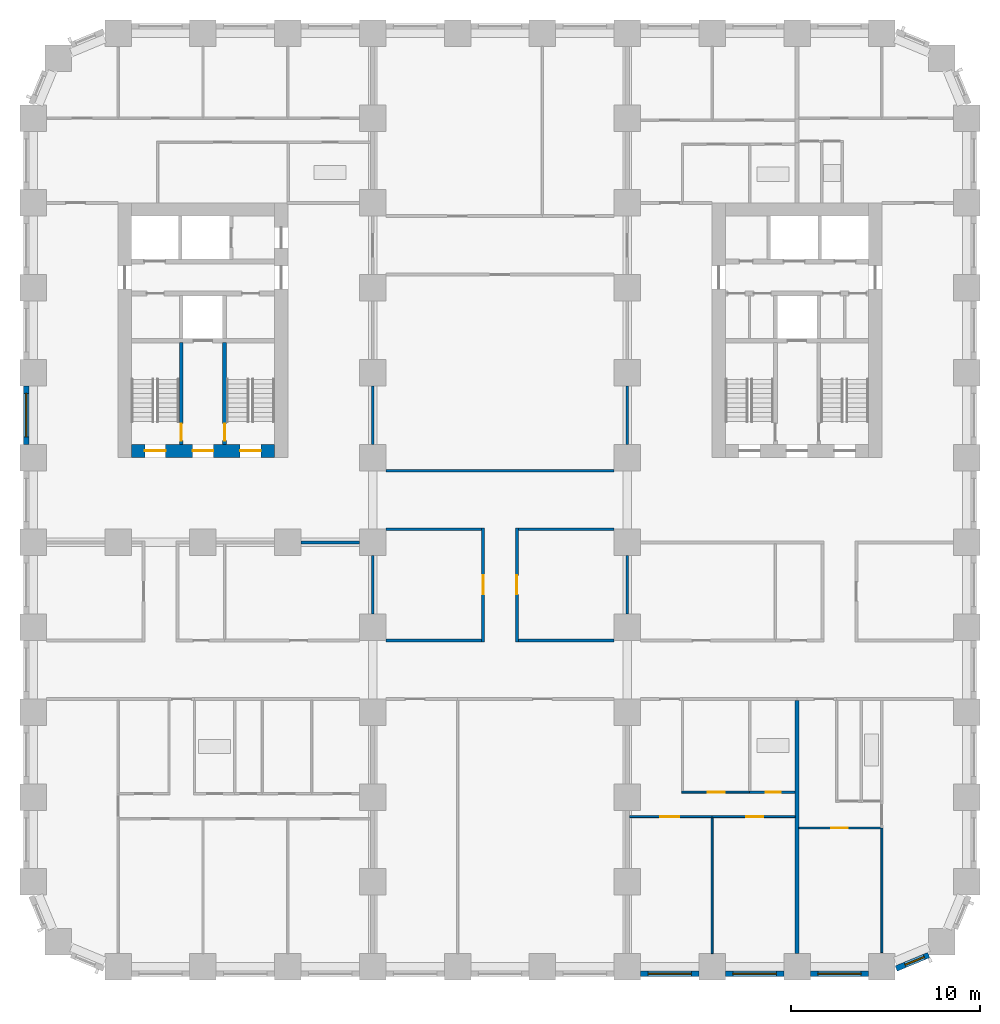
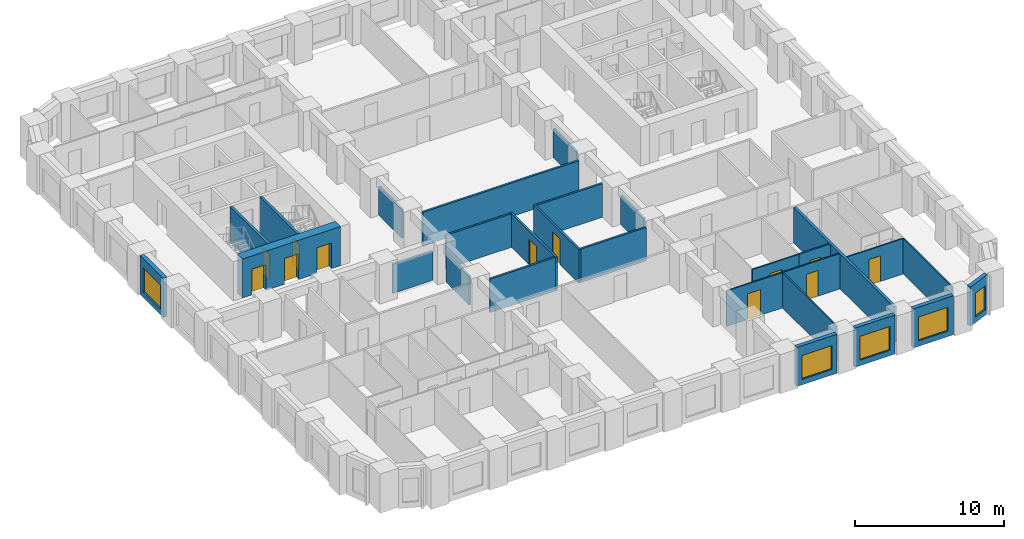
# One storey, part 4 of 12: 28 walls, 12 doors, 5 windows, 17 openings.
"""IFC4 building model written with IfcOpenShell, lengths in metres."""

from ifc_helpers import new_model, si_unit, direction, frame, frame_2d, origin, place, context, subcontext, project, spatial, rectangle, extrude, material, layer, layer_set, type_object, element, fill, save


model = new_model("IFC4")

# Units and contexts
model_context = context("Model", 3, precision=1e-05, world=origin(), true_north=direction((0.0, 1.0)))
body_context = subcontext(model_context, "Body", "Model", "MODEL_VIEW")
ifc_project = project(units=[si_unit("LENGTHUNIT", "METRE"), si_unit("AREAUNIT", "SQUARE_METRE"), si_unit("VOLUMEUNIT", "CUBIC_METRE"), si_unit("PLANEANGLEUNIT", "RADIAN"), si_unit("MASSUNIT", "GRAM", prefix="KILO")], contexts=[model_context])

# Site, building, storey
site_placement = place(None, origin())
site = spatial("IfcSite", under=ifc_project, at=site_placement, CompositionType="ELEMENT")
building_placement = place(site_placement, origin())
building = spatial("IfcBuilding", under=site, at=building_placement, Name="Girih Gate Residences", CompositionType="ELEMENT")
storey_placement = place(building_placement, frame((0.0, 0.0, 62.39990234375)))
storey = spatial("IfcBuildingStorey", under=building, at=storey_placement, Name="L16", CompositionType="ELEMENT", Elevation=62.39990234375)

# Wall, opening, door
ifc_material_1 = material(Name="Gypsum board on steel studs", Category="steel")
ifc_layer_1 = layer(ifc_material_1, 0.14990234375)
ifc_layer_set_1 = layer_set([ifc_layer_1], Name="Compartment wall 150 mm")
wall_type_1 = type_object("IfcWallType", Name="Compartment wall 150 mm", PredefinedType="PARTITIONING", material=ifc_layer_set_1)
wall_1_placement = place(storey_placement, frame((23.85009765625, 17.22509765625, 0.0), z_axis=(0.0, 0.0, 1.0), x_axis=(0.0, 1.0, 0.0)))
wall_1 = element("IfcWall", 1, at=wall_1_placement, inside=storey, type_object=wall_type_1, Name="L16 partition", PredefinedType="PARTITIONING", context=body_context, shape_type="SweptSolid", body=[
    extrude(rectangle(XDim=6.0498046875, YDim=0.14990234375, at=frame_2d((3.02490234375, 0.0))), origin(), (0.0, 0.0, 1.0), 2.75),
])
opening_1_placement = place(wall_1_placement, frame((2.52490234375, 0.0, 0.0)))
opening_1 = element("IfcOpeningElement", 2, at=opening_1_placement, cuts=wall_1, Name="Opening A16-045", PredefinedType="OPENING", context=body_context, shape_type="SweptSolid", body=[
    extrude(rectangle(XDim=1.0, YDim=2.10009765625, at=frame_2d((0.5, 1.050048828125))), frame((0.0, 0.0849609375, 0.0), z_axis=(0.0, -1.0, 0.0), x_axis=(1.0, 0.0, 0.0)), (0.0, 0.0, 1.0), 0.169921875),
])
ifc_material_2 = material(Name="Timber, fire-rated core", Category="wood")
door_type_1 = type_object("IfcDoorType", Name="Amenity room door 1000x2100 FD30S", OperationType="NOTDEFINED", PredefinedType="DOOR", material=ifc_material_2)
door_1_placement = place(opening_1_placement, origin())
door_1 = element("IfcDoor", 3, at=door_1_placement, inside=storey, type_object=door_type_1, Name="Door A16-045", OperationType="SINGLE_SWING_RIGHT", OverallHeight=2.10009765625, OverallWidth=1.0, PredefinedType="DOOR", context=body_context, shape_type="SweptSolid", body=[
    extrude(rectangle(XDim=1.0, YDim=2.10009765625, at=frame_2d((0.5, 1.050048828125))), frame((0.0, 0.02490234375, 0.0), z_axis=(0.0, -1.0, 0.0), x_axis=(1.0, 0.0, 0.0)), (0.0, 0.0, 1.0), 0.050048828125),
])
fill(opening_1, door_1)

wall_2_placement = place(storey_placement, frame((25.64990234375, 23.27490234375, 0.0), z_axis=(0.0, 0.0, 1.0), x_axis=(0.0, -1.0, 0.0)))
wall_2 = element("IfcWall", 4, at=wall_2_placement, inside=storey, type_object=wall_type_1, Name="L16 partition", PredefinedType="PARTITIONING", context=body_context, shape_type="SweptSolid", body=[
    extrude(rectangle(XDim=6.0498046875, YDim=0.14990234375, at=frame_2d((3.02490234375, 0.0))), origin(), (0.0, 0.0, 1.0), 2.75),
])
opening_2_placement = place(wall_2_placement, frame((2.52490234375, 0.0, 0.0)))
opening_2 = element("IfcOpeningElement", 5, at=opening_2_placement, cuts=wall_2, Name="Opening A16-046", PredefinedType="OPENING", context=body_context, shape_type="SweptSolid", body=[
    extrude(rectangle(XDim=1.0, YDim=2.10009765625, at=frame_2d((0.5, 1.050048828125))), frame((0.0, 0.0849609375, 0.0), z_axis=(0.0, -1.0, 0.0), x_axis=(1.0, 0.0, 0.0)), (0.0, 0.0, 1.0), 0.169921875),
])
door_2_placement = place(opening_2_placement, origin())
door_2 = element("IfcDoor", 6, at=door_2_placement, inside=storey, type_object=door_type_1, Name="Door A16-046", OperationType="SINGLE_SWING_RIGHT", OverallHeight=2.10009765625, OverallWidth=1.0, PredefinedType="DOOR", context=body_context, shape_type="SweptSolid", body=[
    extrude(rectangle(XDim=1.0, YDim=2.10009765625, at=frame_2d((0.5, 1.050048828125))), frame((0.0, 0.02490234375, 0.0), z_axis=(0.0, -1.0, 0.0), x_axis=(1.0, 0.0, 0.0)), (0.0, 0.0, 1.0), 0.050048828125),
])
fill(opening_2, door_2)

# Walls
for number, where, z_axis, x_axis, name in (
    (7, (18.699951171875, 17.300048828125, 0.0), (0.0, 0.0, 1.0), (1.0, 0.0, 0.0), "L16 partition"),
    (8, (25.72509765625, 17.300048828125, 0.0), (0.0, 0.0, 1.0), (1.0, 0.0, 0.0), "L16 partition"),
):
    element("IfcWall", number, at=place(storey_placement, frame(where, z_axis=z_axis, x_axis=x_axis)), inside=storey, type_object=wall_type_1, Name=name, PredefinedType="PARTITIONING", context=body_context, shape_type="SweptSolid", body=[
        extrude(rectangle(XDim=5.074951171875, YDim=0.14990234375, at=frame_2d((2.53759765625, 0.0))), origin(), (0.0, 0.0, 1.0), 2.75),
    ])
for number, where, z_axis, x_axis, name in (
    (9, (31.5, 27.699951171875, 0.0), (0.0, 0.0, 1.0), (0.0, 1.0, 0.0), "L16 partition"),
    (10, (18.0, 27.699951171875, 0.0), (0.0, 0.0, 1.0), (0.0, 1.0, 0.0), "L16 partition"),
):
    element("IfcWall", number, at=place(storey_placement, frame(where, z_axis=z_axis, x_axis=x_axis)), inside=storey, type_object=wall_type_1, Name=name, PredefinedType="PARTITIONING", context=body_context, shape_type="SweptSolid", body=[
        extrude(rectangle(XDim=3.10009765625, YDim=0.14990234375, at=frame_2d((1.550048828125, 0.0))), origin(), (0.0, 0.0, 1.0), 2.380126953125),
    ])
wall_3_placement = place(storey_placement, frame((18.699951171875, 26.300048828125, 0.0), z_axis=(0.0, 0.0, 1.0), x_axis=(1.0, 0.0, 0.0)))
element("IfcWall", 11, at=wall_3_placement, inside=storey, type_object=wall_type_1, Name="L16 partition", PredefinedType="PARTITIONING", context=body_context, shape_type="SweptSolid", body=[
    extrude(rectangle(XDim=12.10009765625, YDim=0.14990234375, at=frame_2d((6.050048828125, 0.0))), origin(), (0.0, 0.0, 1.0), 2.75),
])
wall_4_placement = place(storey_placement, frame((18.699951171875, 23.199951171875, 0.0), z_axis=(0.0, 0.0, 1.0), x_axis=(1.0, 0.0, 0.0)))
element("IfcWall", 12, at=wall_4_placement, inside=storey, type_object=wall_type_1, Name="L16 partition", PredefinedType="PARTITIONING", context=body_context, shape_type="SweptSolid", body=[
    extrude(rectangle(XDim=5.074951171875, YDim=0.14990234375, at=frame_2d((2.53759765625, 0.0))), origin(), (0.0, 0.0, 1.0), 2.75),
])
wall_5_placement = place(storey_placement, frame((18.0, 18.699951171875, 0.0), z_axis=(0.0, 0.0, 1.0), x_axis=(0.0, 1.0, 0.0)))
element("IfcWall", 13, at=wall_5_placement, inside=storey, type_object=wall_type_1, Name="L16 partition", PredefinedType="PARTITIONING", context=body_context, shape_type="SweptSolid", body=[
    extrude(rectangle(XDim=3.10009765625, YDim=0.14990234375, at=frame_2d((1.550048828125, 0.0))), origin(), (0.0, 0.0, 1.0), 2.380126953125),
])
wall_6_placement = place(storey_placement, frame((25.72509765625, 23.199951171875, 0.0), z_axis=(0.0, 0.0, 1.0), x_axis=(1.0, 0.0, 0.0)))
element("IfcWall", 14, at=wall_6_placement, inside=storey, type_object=wall_type_1, Name="L16 partition", PredefinedType="PARTITIONING", context=body_context, shape_type="SweptSolid", body=[
    extrude(rectangle(XDim=5.074951171875, YDim=0.14990234375, at=frame_2d((2.53759765625, 0.0))), origin(), (0.0, 0.0, 1.0), 2.75),
])
for number, where, z_axis, x_axis, name in (
    (15, (31.5, 18.699951171875, 0.0), (0.0, 0.0, 1.0), (0.0, 1.0, 0.0), "L16 partition"),
    (16, (14.199951171875, 22.5, 0.0), (0.0, 0.0, 1.0), (1.0, 0.0, 0.0), "L16 partition"),
):
    element("IfcWall", number, at=place(storey_placement, frame(where, z_axis=z_axis, x_axis=x_axis)), inside=storey, type_object=wall_type_1, Name=name, PredefinedType="PARTITIONING", context=body_context, shape_type="SweptSolid", body=[
        extrude(rectangle(XDim=3.10009765625, YDim=0.14990234375, at=frame_2d((1.550048828125, 0.0))), origin(), (0.0, 0.0, 1.0), 2.380126953125),
    ])

# Wall, openings, doors
ifc_material_3 = material(Name="Concrete C60/75", Category="concrete")
ifc_layer_2 = layer(ifc_material_3, 0.699951171875)
ifc_layer_set_2 = layer_set([ifc_layer_2], Name="Core wall RC 700 Concrete C60/75")
wall_type_2 = type_object("IfcWallType", Name="Core wall RC 700 Concrete C60/75", PredefinedType="SOLIDWALL", material=ifc_layer_set_2)
wall_7_placement = place(storey_placement, frame((5.199951171875, 27.35009765625, 0.0), z_axis=(0.0, 0.0, 1.0), x_axis=(1.0, 0.0, 0.0)))
wall_7 = element("IfcWall", 17, at=wall_7_placement, inside=storey, type_object=wall_type_2, Name="Core wall W-S L16", PredefinedType="SOLIDWALL", context=body_context, shape_type="SweptSolid", body=[
    extrude(rectangle(XDim=7.60009765625, YDim=0.699951171875, at=frame_2d((3.800048828125, 0.0))), origin(), (0.0, 0.0, 1.0), 3.2001953125),
])
opening_3_placement = place(wall_7_placement, frame((0.72509765625, 0.0, 0.0)))
opening_3 = element("IfcOpeningElement", 18, at=opening_3_placement, cuts=wall_7, Name="Opening D-L16-W-008", PredefinedType="OPENING", context=body_context, shape_type="SweptSolid", body=[
    extrude(rectangle(XDim=1.10009765625, YDim=2.10009765625, at=frame_2d((0.550048828125, 1.050048828125))), frame((0.0, 0.35986328125, 0.0), z_axis=(0.0, -1.0, 0.0), x_axis=(1.0, 0.0, 0.0)), (0.0, 0.0, 1.0), 0.719970703125),
])
opening_4_placement = place(wall_7_placement, frame((3.25, 0.0, 0.0)))
opening_4 = element("IfcOpeningElement", 19, at=opening_4_placement, cuts=wall_7, Name="Opening D-L16-W-009", PredefinedType="OPENING", context=body_context, shape_type="SweptSolid", body=[
    extrude(rectangle(XDim=1.10009765625, YDim=2.10009765625, at=frame_2d((0.550048828125, 1.050048828125))), frame((0.0, 0.35986328125, 0.0), z_axis=(0.0, -1.0, 0.0), x_axis=(1.0, 0.0, 0.0)), (0.0, 0.0, 1.0), 0.719970703125),
])
opening_5_placement = place(wall_7_placement, frame((5.77490234375, 0.0, 0.0)))
opening_5 = element("IfcOpeningElement", 20, at=opening_5_placement, cuts=wall_7, Name="Opening D-L16-W-010", PredefinedType="OPENING", context=body_context, shape_type="SweptSolid", body=[
    extrude(rectangle(XDim=1.10009765625, YDim=2.10009765625, at=frame_2d((0.550048828125, 1.050048828125))), frame((0.0, 0.35986328125, 0.0), z_axis=(0.0, -1.0, 0.0), x_axis=(1.0, 0.0, 0.0)), (0.0, 0.0, 1.0), 0.719970703125),
])
ifc_material_4 = material(Name="Painted steel, fire-resisting", Category="steel")
door_type_2 = type_object("IfcDoorType", Name="Fire door 1100x2100", OperationType="SINGLE_SWING_LEFT", PredefinedType="DOOR", material=ifc_material_4)
door_3_placement = place(opening_3_placement, origin())
door_3 = element("IfcDoor", 21, at=door_3_placement, inside=storey, type_object=door_type_2, Name="L16 W core door sta-out", OperationType="SINGLE_SWING_LEFT", OverallHeight=2.10009765625, OverallWidth=1.10009765625, PredefinedType="DOOR", context=body_context, shape_type="SweptSolid", body=[
    extrude(rectangle(XDim=1.10009765625, YDim=2.10009765625, at=frame_2d((0.550048828125, 1.050048828125))), frame((0.0, 0.02490234375, 0.0), z_axis=(0.0, -1.0, 0.0), x_axis=(1.0, 0.0, 0.0)), (0.0, 0.0, 1.0), 0.050048828125),
])
fill(opening_3, door_3)
door_4_placement = place(opening_4_placement, origin())
door_4 = element("IfcDoor", 22, at=door_4_placement, inside=storey, type_object=door_type_2, Name="L16 W core door ffl-out", OperationType="SINGLE_SWING_LEFT", OverallHeight=2.10009765625, OverallWidth=1.10009765625, PredefinedType="DOOR", context=body_context, shape_type="SweptSolid", body=[
    extrude(rectangle(XDim=1.10009765625, YDim=2.10009765625, at=frame_2d((0.550048828125, 1.050048828125))), frame((0.0, 0.02490234375, 0.0), z_axis=(0.0, -1.0, 0.0), x_axis=(1.0, 0.0, 0.0)), (0.0, 0.0, 1.0), 0.050048828125),
])
fill(opening_4, door_4)
door_5_placement = place(opening_5_placement, origin())
door_5 = element("IfcDoor", 23, at=door_5_placement, inside=storey, type_object=door_type_2, Name="L16 W core door stb-out", OperationType="SINGLE_SWING_LEFT", OverallHeight=2.10009765625, OverallWidth=1.10009765625, PredefinedType="DOOR", context=body_context, shape_type="SweptSolid", body=[
    extrude(rectangle(XDim=1.10009765625, YDim=2.10009765625, at=frame_2d((0.550048828125, 1.050048828125))), frame((0.0, 0.02490234375, 0.0), z_axis=(0.0, -1.0, 0.0), x_axis=(1.0, 0.0, 0.0)), (0.0, 0.0, 1.0), 0.050048828125),
])
fill(opening_5, door_5)

# Wall, opening, door
ifc_layer_3 = layer(ifc_material_1, 0.10009765625)
ifc_layer_set_3 = layer_set([ifc_layer_3], Name="Partition 100 mm")
wall_type_3 = type_object("IfcWallType", Name="Partition 100 mm", PredefinedType="PARTITIONING", material=ifc_layer_set_3)
wall_8_placement = place(storey_placement, frame((44.949951171875, 7.360107421875, 0.0), z_axis=(0.0, 0.0, 1.0), x_axis=(-1.0, 0.0, 0.0)))
wall_8 = element("IfcWall", 24, at=wall_8_placement, inside=storey, type_object=wall_type_3, Name="L16 partition", PredefinedType="PARTITIONING", context=body_context, shape_type="SweptSolid", body=[
    extrude(rectangle(XDim=4.349853515625, YDim=0.10009765625, at=frame_2d((2.1748046875, 0.0))), origin(), (0.0, 0.0, 1.0), 2.900146484375),
])
opening_6_placement = place(wall_8_placement, frame((1.75, 0.0, 0.0)))
opening_6 = element("IfcOpeningElement", 25, at=opening_6_placement, cuts=wall_8, Name="Opening A16-019", PredefinedType="OPENING", context=body_context, shape_type="SweptSolid", body=[
    extrude(rectangle(XDim=0.89990234375, YDim=2.10009765625, at=frame_2d((0.449951171875, 1.050048828125))), frame((0.0, 0.06005859375, 0.0), z_axis=(0.0, -1.0, 0.0), x_axis=(1.0, 0.0, 0.0)), (0.0, 0.0, 1.0), 0.1201171875),
])
ifc_material_5 = material(Name="Timber", Category="wood")
door_type_3 = type_object("IfcDoorType", Name="Bedroom door 900x2100", OperationType="NOTDEFINED", PredefinedType="DOOR", material=ifc_material_5)
door_6_placement = place(opening_6_placement, origin())
door_6 = element("IfcDoor", 26, at=door_6_placement, inside=storey, type_object=door_type_3, Name="Door A16-019", OperationType="SINGLE_SWING_RIGHT", OverallHeight=2.10009765625, OverallWidth=0.89990234375, PredefinedType="DOOR", context=body_context, shape_type="SweptSolid", body=[
    extrude(rectangle(XDim=0.89990234375, YDim=2.10009765625, at=frame_2d((0.449951171875, 1.050048828125))), frame((0.0, 0.02490234375, 0.0), z_axis=(0.0, -1.0, 0.0), x_axis=(1.0, 0.0, 0.0)), (0.0, 0.0, 1.0), 0.050048828125),
])
fill(opening_6, door_6)

# Wall
wall_9_placement = place(storey_placement, frame((45.0, 0.757568359375, 0.0), z_axis=(0.0, 0.0, 1.0), x_axis=(0.0, 1.0, 0.0)))
element("IfcWall", 27, at=wall_9_placement, inside=storey, type_object=wall_type_3, Name="L16 partition", PredefinedType="PARTITIONING", context=body_context, shape_type="SweptSolid", body=[
    extrude(rectangle(XDim=6.6025390625, YDim=0.10009765625, at=frame_2d((3.30126953125, 0.0))), origin(), (0.0, 0.0, 1.0), 2.900146484375),
])

# Wall, opening, door
wall_10_placement = place(storey_placement, frame((40.39990234375, 7.9599609375, 0.0), z_axis=(0.0, 0.0, 1.0), x_axis=(-1.0, 0.0, 0.0)))
wall_10 = element("IfcWall", 28, at=wall_10_placement, inside=storey, type_object=wall_type_3, Name="L16 partition", PredefinedType="PARTITIONING", context=body_context, shape_type="SweptSolid", body=[
    extrude(rectangle(XDim=4.39990234375, YDim=0.10009765625, at=frame_2d((2.199951171875, 0.0))), origin(), (0.0, 0.0, 1.0), 2.900146484375),
])
opening_7_placement = place(wall_10_placement, frame((1.699951171875, 0.0, 0.0)))
opening_7 = element("IfcOpeningElement", 29, at=opening_7_placement, cuts=wall_10, Name="Opening A16-024", PredefinedType="OPENING", context=body_context, shape_type="SweptSolid", body=[
    extrude(rectangle(XDim=0.89990234375, YDim=2.10009765625, at=frame_2d((0.449951171875, 1.050048828125))), frame((0.0, 0.06005859375, 0.0), z_axis=(0.0, -1.0, 0.0), x_axis=(1.0, 0.0, 0.0)), (0.0, 0.0, 1.0), 0.1201171875),
])
door_7_placement = place(opening_7_placement, origin())
door_7 = element("IfcDoor", 30, at=door_7_placement, inside=storey, type_object=door_type_3, Name="Door A16-024", OperationType="SINGLE_SWING_LEFT", OverallHeight=2.10009765625, OverallWidth=0.89990234375, PredefinedType="DOOR", context=body_context, shape_type="SweptSolid", body=[
    extrude(rectangle(XDim=0.89990234375, YDim=2.10009765625, at=frame_2d((0.449951171875, 1.050048828125))), frame((0.0, 0.02490234375, 0.0), z_axis=(0.0, -1.0, 0.0), x_axis=(1.0, 0.0, 0.0)), (0.0, 0.0, 1.0), 0.050048828125),
])
fill(opening_7, door_7)

# Wall
wall_11_placement = place(storey_placement, frame((36.0, 0.699951171875, 0.0), z_axis=(0.0, 0.0, 1.0), x_axis=(0.0, 1.0, 0.0)))
element("IfcWall", 31, at=wall_11_placement, inside=storey, type_object=wall_type_3, Name="L16 partition", PredefinedType="PARTITIONING", context=body_context, shape_type="SweptSolid", body=[
    extrude(rectangle(XDim=7.2099609375, YDim=0.10009765625, at=frame_2d((3.60498046875, 0.0))), origin(), (0.0, 0.0, 1.0), 2.900146484375),
])

# Wall, opening, door
wall_12_placement = place(storey_placement, frame((34.375, 9.260009765625, 0.0), z_axis=(0.0, 0.0, 1.0), x_axis=(1.0, 0.0, 0.0)))
wall_12 = element("IfcWall", 32, at=wall_12_placement, inside=storey, type_object=wall_type_3, Name="L16 partition", PredefinedType="PARTITIONING", context=body_context, shape_type="SweptSolid", body=[
    extrude(rectangle(XDim=3.613037109375, YDim=0.10009765625, at=frame_2d((1.806640625, 0.0))), origin(), (0.0, 0.0, 1.0), 2.900146484375),
])
opening_8_placement = place(wall_12_placement, frame((1.381591796875, 0.0, 0.0)))
opening_8 = element("IfcOpeningElement", 33, at=opening_8_placement, cuts=wall_12, Name="Opening A16-025", PredefinedType="OPENING", context=body_context, shape_type="SweptSolid", body=[
    extrude(rectangle(XDim=0.89990234375, YDim=2.10009765625, at=frame_2d((0.449951171875, 1.050048828125))), frame((0.0, 0.06005859375, 0.0), z_axis=(0.0, -1.0, 0.0), x_axis=(1.0, 0.0, 0.0)), (0.0, 0.0, 1.0), 0.1201171875),
])
door_type_4 = type_object("IfcDoorType", Name="Kitchen door 900x2100", OperationType="NOTDEFINED", PredefinedType="DOOR", material=ifc_material_5)
door_8_placement = place(opening_8_placement, origin())
door_8 = element("IfcDoor", 34, at=door_8_placement, inside=storey, type_object=door_type_4, Name="Door A16-025", OperationType="SINGLE_SWING_RIGHT", OverallHeight=2.10009765625, OverallWidth=0.89990234375, PredefinedType="DOOR", context=body_context, shape_type="SweptSolid", body=[
    extrude(rectangle(XDim=0.89990234375, YDim=2.10009765625, at=frame_2d((0.449951171875, 1.050048828125))), frame((0.0, 0.02490234375, 0.0), z_axis=(0.0, -1.0, 0.0), x_axis=(1.0, 0.0, 0.0)), (0.0, 0.0, 1.0), 0.050048828125),
])
fill(opening_8, door_8)

wall_13_placement = place(storey_placement, frame((36.0, 7.9599609375, 0.0), z_axis=(0.0, 0.0, 1.0), x_axis=(-1.0, 0.0, 0.0)))
wall_13 = element("IfcWall", 35, at=wall_13_placement, inside=storey, type_object=wall_type_3, Name="L16 partition", PredefinedType="PARTITIONING", context=body_context, shape_type="SweptSolid", body=[
    extrude(rectangle(XDim=4.375, YDim=0.10009765625, at=frame_2d((2.1875, 0.0))), origin(), (0.0, 0.0, 1.0), 2.900146484375),
])
opening_9_placement = place(wall_13_placement, frame((1.75, 0.0, 0.0)))
opening_9 = element("IfcOpeningElement", 36, at=opening_9_placement, cuts=wall_13, Name="Opening A16-026", PredefinedType="OPENING", context=body_context, shape_type="SweptSolid", body=[
    extrude(rectangle(XDim=1.0, YDim=2.10009765625, at=frame_2d((0.5, 1.050048828125))), frame((0.0, 0.06005859375, 0.0), z_axis=(0.0, -1.0, 0.0), x_axis=(1.0, 0.0, 0.0)), (0.0, 0.0, 1.0), 0.1201171875),
])
door_type_5 = type_object("IfcDoorType", Name="Living room door 1000x2100", OperationType="NOTDEFINED", PredefinedType="DOOR", material=ifc_material_5)
door_9_placement = place(opening_9_placement, origin())
door_9 = element("IfcDoor", 37, at=door_9_placement, inside=storey, type_object=door_type_5, Name="Door A16-026", OperationType="SINGLE_SWING_RIGHT", OverallHeight=2.10009765625, OverallWidth=1.0, PredefinedType="DOOR", context=body_context, shape_type="SweptSolid", body=[
    extrude(rectangle(XDim=1.0, YDim=2.10009765625, at=frame_2d((0.5, 1.050048828125))), frame((0.0, 0.02490234375, 0.0), z_axis=(0.0, -1.0, 0.0), x_axis=(1.0, 0.0, 0.0)), (0.0, 0.0, 1.0), 0.050048828125),
])
fill(opening_9, door_9)

# Wall
ifc_layer_4 = layer(ifc_material_1, 0.199951171875)
ifc_layer_set_4 = layer_set([ifc_layer_4], Name="Party wall 200 mm")
wall_type_4 = type_object("IfcWallType", Name="Party wall 200 mm", PredefinedType="PARTITIONING", material=ifc_layer_set_4)
wall_14_placement = place(storey_placement, frame((40.5, 0.699951171875, 0.0), z_axis=(0.0, 0.0, 1.0), x_axis=(0.0, 1.0, 0.0)))
element("IfcWall", 38, at=wall_14_placement, inside=storey, type_object=wall_type_4, Name="L16 partition", PredefinedType="PARTITIONING", context=body_context, shape_type="SweptSolid", body=[
    extrude(rectangle(XDim=13.425048828125, YDim=0.199951171875, at=frame_2d((6.71240234375, 0.0))), origin(), (0.0, 0.0, 1.0), 2.900146484375),
])

# Wall, opening, window
ifc_material_6 = material(Name="Precast concrete C50/60", Category="concrete")
ifc_layer_5 = layer(ifc_material_6, 0.080078125, Name="Outer leaf")
ifc_material_7 = material(Name="Rigid PIR insulation")
ifc_layer_6 = layer(ifc_material_7, 0.14990234375, Name="Insulation")
ifc_material_8 = material(Name="Precast concrete C40/50", Category="concrete")
ifc_layer_7 = layer(ifc_material_8, 0.070068359375, Name="Inner leaf")
ifc_layer_set_5 = layer_set([ifc_layer_5, ifc_layer_6, ifc_layer_7], Name="Precast concrete C50/60 external wall 300")
wall_type_5 = type_object("IfcWallType", Name="Precast concrete C50/60 external wall 300", PredefinedType="SOLIDWALL", material=ifc_layer_set_5)
wall_15_placement = place(storey_placement, frame((35.300048828125, -0.375, 0.0), z_axis=(0.0, 0.0, 1.0), x_axis=(-1.0, 0.0, 0.0)))
wall_15 = element("IfcWall", 39, at=wall_15_placement, inside=storey, type_object=wall_type_5, Name="External wall S0045_0000.6", PredefinedType="SOLIDWALL", context=body_context, shape_type="SweptSolid", body=[
    extrude(rectangle(XDim=3.10009765625, YDim=0.300048828125, at=frame_2d((1.550048828125, 0.0))), origin(), (0.0, 0.0, 1.0), 3.2001953125),
])
opening_10_placement = place(wall_15_placement, frame((0.39990234375, 0.0, 0.449951171875)))
opening_10 = element("IfcOpeningElement", 40, at=opening_10_placement, cuts=wall_15, Name="Opening W-1", PredefinedType="OPENING", context=body_context, shape_type="SweptSolid", body=[
    extrude(rectangle(XDim=2.300048828125, YDim=1.949951171875, at=frame_2d((1.14990234375, 0.97509765625))), frame((0.0, 0.159912109375, 0.0), z_axis=(0.0, -1.0, 0.0), x_axis=(1.0, 0.0, 0.0)), (0.0, 0.0, 1.0), 0.320068359375),
])
ifc_material_9 = material(Name="Double glazing in aluminium frame", Category="aluminium")
window_type_1 = type_object("IfcWindowType", Name="Window W-1 2300x1950", PartitioningType="SINGLE_PANEL", PredefinedType="WINDOW", material=ifc_material_9)
window_1_placement = place(opening_10_placement, origin())
window_1 = element("IfcWindow", 41, at=window_1_placement, inside=storey, type_object=window_type_1, Name="Window W-1 S0045_0000.6", OverallHeight=1.949951171875, OverallWidth=2.300048828125, PartitioningType="SINGLE_PANEL", PredefinedType="WINDOW", context=body_context, shape_type="SweptSolid", body=[
    extrude(rectangle(XDim=2.300048828125, YDim=1.949951171875, at=frame_2d((1.14990234375, 0.97509765625))), frame((0.0, 0.030029296875, 0.0), z_axis=(0.0, -1.0, 0.0), x_axis=(1.0, 0.0, 0.0)), (0.0, 0.0, 1.0), 0.06005859375),
])
fill(opening_10, window_1)

wall_16_placement = place(storey_placement, frame((39.800048828125, -0.375, 0.0), z_axis=(0.0, 0.0, 1.0), x_axis=(-1.0, 0.0, 0.0)))
wall_16 = element("IfcWall", 42, at=wall_16_placement, inside=storey, type_object=wall_type_5, Name="External wall S0045_0000.7", PredefinedType="SOLIDWALL", context=body_context, shape_type="SweptSolid", body=[
    extrude(rectangle(XDim=3.10009765625, YDim=0.300048828125, at=frame_2d((1.550048828125, 0.0))), origin(), (0.0, 0.0, 1.0), 3.2001953125),
])
opening_11_placement = place(wall_16_placement, frame((0.39990234375, 0.0, 0.449951171875)))
opening_11 = element("IfcOpeningElement", 43, at=opening_11_placement, cuts=wall_16, Name="Opening W-1", PredefinedType="OPENING", context=body_context, shape_type="SweptSolid", body=[
    extrude(rectangle(XDim=2.300048828125, YDim=1.949951171875, at=frame_2d((1.14990234375, 0.97509765625))), frame((0.0, 0.159912109375, 0.0), z_axis=(0.0, -1.0, 0.0), x_axis=(1.0, 0.0, 0.0)), (0.0, 0.0, 1.0), 0.320068359375),
])
window_2_placement = place(opening_11_placement, origin())
window_2 = element("IfcWindow", 44, at=window_2_placement, inside=storey, type_object=window_type_1, Name="Window W-1 S0045_0000.7", OverallHeight=1.949951171875, OverallWidth=2.300048828125, PartitioningType="SINGLE_PANEL", PredefinedType="WINDOW", context=body_context, shape_type="SweptSolid", body=[
    extrude(rectangle(XDim=2.300048828125, YDim=1.949951171875, at=frame_2d((1.14990234375, 0.97509765625))), frame((0.0, 0.030029296875, 0.0), z_axis=(0.0, -1.0, 0.0), x_axis=(1.0, 0.0, 0.0)), (0.0, 0.0, 1.0), 0.06005859375),
])
fill(opening_11, window_2)

wall_17_placement = place(storey_placement, frame((44.300048828125, -0.375, 0.0), z_axis=(0.0, 0.0, 1.0), x_axis=(-1.0, 0.0, 0.0)))
wall_17 = element("IfcWall", 45, at=wall_17_placement, inside=storey, type_object=wall_type_5, Name="External wall S0045_0000.8", PredefinedType="SOLIDWALL", context=body_context, shape_type="SweptSolid", body=[
    extrude(rectangle(XDim=3.10009765625, YDim=0.300048828125, at=frame_2d((1.550048828125, 0.0))), origin(), (0.0, 0.0, 1.0), 3.2001953125),
])
opening_12_placement = place(wall_17_placement, frame((0.39990234375, 0.0, 0.449951171875)))
opening_12 = element("IfcOpeningElement", 46, at=opening_12_placement, cuts=wall_17, Name="Opening W-1", PredefinedType="OPENING", context=body_context, shape_type="SweptSolid", body=[
    extrude(rectangle(XDim=2.300048828125, YDim=1.949951171875, at=frame_2d((1.14990234375, 0.97509765625))), frame((0.0, 0.159912109375, 0.0), z_axis=(0.0, -1.0, 0.0), x_axis=(1.0, 0.0, 0.0)), (0.0, 0.0, 1.0), 0.320068359375),
])
window_3_placement = place(opening_12_placement, origin())
window_3 = element("IfcWindow", 47, at=window_3_placement, inside=storey, type_object=window_type_1, Name="Window W-1 S0045_0000.8", OverallHeight=1.949951171875, OverallWidth=2.300048828125, PartitioningType="SINGLE_PANEL", PredefinedType="WINDOW", context=body_context, shape_type="SweptSolid", body=[
    extrude(rectangle(XDim=2.300048828125, YDim=1.949951171875, at=frame_2d((1.14990234375, 0.97509765625))), frame((0.0, 0.030029296875, 0.0), z_axis=(0.0, -1.0, 0.0), x_axis=(1.0, 0.0, 0.0)), (0.0, 0.0, 1.0), 0.06005859375),
])
fill(opening_12, window_3)

wall_18_placement = place(storey_placement, frame((47.48046875, 0.62158203125, 0.0), z_axis=(0.0, 0.0, 1.0), x_axis=(-0.923903565336, -0.38262540684, 0.0)))
wall_18 = element("IfcWall", 48, at=wall_18_placement, inside=storey, type_object=wall_type_5, Name="External wall SE0450_0000.0", PredefinedType="SOLIDWALL", context=body_context, shape_type="SweptSolid", body=[
    extrude(rectangle(XDim=1.864990234375, YDim=0.300048828125, at=frame_2d((0.9326171875, 0.0))), origin(), (0.0, 0.0, 1.0), 3.2001953125),
])
opening_13_placement = place(wall_18_placement, frame((0.257568359375, 0.0, 0.449951171875)))
opening_13 = element("IfcOpeningElement", 49, at=opening_13_placement, cuts=wall_18, Name="Opening W-2C", PredefinedType="OPENING", context=body_context, shape_type="SweptSolid", body=[
    extrude(rectangle(XDim=1.10009765625, YDim=1.949951171875, at=frame_2d((0.550048828125, 0.97509765625))), frame((0.0, 0.159912109375, 0.0), z_axis=(0.0, -1.0, 0.0), x_axis=(1.0, 0.0, 0.0)), (0.0, 0.0, 1.0), 0.320068359375),
])
window_type_2 = type_object("IfcWindowType", Name="Window W-2C 1100x1950", PartitioningType="SINGLE_PANEL", PredefinedType="WINDOW", material=ifc_material_9)
window_4_placement = place(opening_13_placement, origin())
window_4 = element("IfcWindow", 50, at=window_4_placement, inside=storey, type_object=window_type_2, Name="Window W-2C SE0450_0000.0", OverallHeight=1.949951171875, OverallWidth=1.10009765625, PartitioningType="SINGLE_PANEL", PredefinedType="WINDOW", context=body_context, shape_type="SweptSolid", body=[
    extrude(rectangle(XDim=1.10009765625, YDim=1.949951171875, at=frame_2d((0.550048828125, 0.97509765625))), frame((0.0, 0.030029296875, 0.0), z_axis=(0.0, -1.0, 0.0), x_axis=(1.0, 0.0, 0.0)), (0.0, 0.0, 1.0), 0.06005859375),
])
fill(opening_13, window_4)

wall_19_placement = place(storey_placement, frame((-0.375, 27.699951171875, 0.0), z_axis=(0.0, 0.0, 1.0), x_axis=(0.0, 1.0, 0.0)))
wall_19 = element("IfcWall", 51, at=wall_19_placement, inside=storey, type_object=wall_type_5, Name="External wall W0000_0450.3", PredefinedType="SOLIDWALL", context=body_context, shape_type="SweptSolid", body=[
    extrude(rectangle(XDim=3.10009765625, YDim=0.300048828125, at=frame_2d((1.550048828125, 0.0))), origin(), (0.0, 0.0, 1.0), 3.2001953125),
])
opening_14_placement = place(wall_19_placement, frame((0.39990234375, 0.0, 0.449951171875)))
opening_14 = element("IfcOpeningElement", 52, at=opening_14_placement, cuts=wall_19, Name="Opening W-1", PredefinedType="OPENING", context=body_context, shape_type="SweptSolid", body=[
    extrude(rectangle(XDim=2.300048828125, YDim=1.949951171875, at=frame_2d((1.14990234375, 0.97509765625))), frame((0.0, 0.159912109375, 0.0), z_axis=(0.0, -1.0, 0.0), x_axis=(1.0, 0.0, 0.0)), (0.0, 0.0, 1.0), 0.320068359375),
])
window_5_placement = place(opening_14_placement, origin())
window_5 = element("IfcWindow", 53, at=window_5_placement, inside=storey, type_object=window_type_1, Name="Window W-1 W0000_0450.3", OverallHeight=1.949951171875, OverallWidth=2.300048828125, PartitioningType="SINGLE_PANEL", PredefinedType="WINDOW", context=body_context, shape_type="SweptSolid", body=[
    extrude(rectangle(XDim=2.300048828125, YDim=1.949951171875, at=frame_2d((1.14990234375, 0.97509765625))), frame((0.0, 0.030029296875, 0.0), z_axis=(0.0, -1.0, 0.0), x_axis=(1.0, 0.0, 0.0)), (0.0, 0.0, 1.0), 0.06005859375),
])
fill(opening_14, window_5)

# Wall, opening, door
ifc_material_10 = material(Name="Concrete C40/50", Category="concrete")
ifc_layer_8 = layer(ifc_material_10, 0.199951171875)
ifc_layer_set_6 = layer_set([ifc_layer_8], Name="Shaft wall 200")
wall_type_6 = type_object("IfcWallType", Name="Shaft wall 200", PredefinedType="SOLIDWALL", material=ifc_layer_set_6)
wall_20_placement = place(storey_placement, frame((7.85009765625, 27.699951171875, 0.0), z_axis=(0.0, 0.0, 1.0), x_axis=(0.0, 1.0, 0.0)))
wall_20 = element("IfcWall", 54, at=wall_20_placement, inside=storey, type_object=wall_type_6, Name="L16 W core wall V1a", PredefinedType="SOLIDWALL", context=body_context, shape_type="SweptSolid", body=[
    extrude(rectangle(XDim=5.400146484375, YDim=0.199951171875, at=frame_2d((2.7001953125, 0.0))), origin(), (0.0, 0.0, 1.0), 2.900146484375),
])
opening_15_placement = place(wall_20_placement, frame((0.199951171875, 0.0, 0.0)))
opening_15 = element("IfcOpeningElement", 55, at=opening_15_placement, cuts=wall_20, Name="Opening D-L16-W-001", PredefinedType="OPENING", context=body_context, shape_type="SweptSolid", body=[
    extrude(rectangle(XDim=0.89990234375, YDim=2.10009765625, at=frame_2d((0.449951171875, 1.050048828125))), frame((0.0, 0.10986328125, 0.0), z_axis=(0.0, -1.0, 0.0), x_axis=(1.0, 0.0, 0.0)), (0.0, 0.0, 1.0), 0.219970703125),
])
door_type_6 = type_object("IfcDoorType", Name="Fire door 900x2100", OperationType="SINGLE_SWING_LEFT", PredefinedType="DOOR", material=ifc_material_4)
door_10_placement = place(opening_15_placement, origin())
door_10 = element("IfcDoor", 56, at=door_10_placement, inside=storey, type_object=door_type_6, Name="L16 W door stair 1 to firefighting lobby", OperationType="SINGLE_SWING_LEFT", OverallHeight=2.10009765625, OverallWidth=0.89990234375, PredefinedType="DOOR", context=body_context, shape_type="SweptSolid", body=[
    extrude(rectangle(XDim=0.89990234375, YDim=2.10009765625, at=frame_2d((0.449951171875, 1.050048828125))), frame((0.0, 0.02490234375, 0.0), z_axis=(0.0, -1.0, 0.0), x_axis=(1.0, 0.0, 0.0)), (0.0, 0.0, 1.0), 0.050048828125),
])
fill(opening_15, door_10)

wall_21_placement = place(storey_placement, frame((10.14990234375, 27.699951171875, 0.0), z_axis=(0.0, 0.0, 1.0), x_axis=(0.0, 1.0, 0.0)))
wall_21 = element("IfcWall", 57, at=wall_21_placement, inside=storey, type_object=wall_type_6, Name="L16 W core wall V2a", PredefinedType="SOLIDWALL", context=body_context, shape_type="SweptSolid", body=[
    extrude(rectangle(XDim=5.400146484375, YDim=0.199951171875, at=frame_2d((2.7001953125, 0.0))), origin(), (0.0, 0.0, 1.0), 2.900146484375),
])
opening_16_placement = place(wall_21_placement, frame((0.199951171875, 0.0, 0.0)))
opening_16 = element("IfcOpeningElement", 58, at=opening_16_placement, cuts=wall_21, Name="Opening D-L16-W-002", PredefinedType="OPENING", context=body_context, shape_type="SweptSolid", body=[
    extrude(rectangle(XDim=0.89990234375, YDim=2.10009765625, at=frame_2d((0.449951171875, 1.050048828125))), frame((0.0, 0.10986328125, 0.0), z_axis=(0.0, -1.0, 0.0), x_axis=(1.0, 0.0, 0.0)), (0.0, 0.0, 1.0), 0.219970703125),
])
door_11_placement = place(opening_16_placement, origin())
door_11 = element("IfcDoor", 59, at=door_11_placement, inside=storey, type_object=door_type_6, Name="L16 W door stair 2 to firefighting lobby", OperationType="SINGLE_SWING_LEFT", OverallHeight=2.10009765625, OverallWidth=0.89990234375, PredefinedType="DOOR", context=body_context, shape_type="SweptSolid", body=[
    extrude(rectangle(XDim=0.89990234375, YDim=2.10009765625, at=frame_2d((0.449951171875, 1.050048828125))), frame((0.0, 0.02490234375, 0.0), z_axis=(0.0, -1.0, 0.0), x_axis=(1.0, 0.0, 0.0)), (0.0, 0.0, 1.0), 0.050048828125),
])
fill(opening_16, door_11)

ifc_layer_9 = layer(ifc_material_1, 0.125)
ifc_layer_set_7 = layer_set([ifc_layer_9], Name="Wet room wall 125 mm")
wall_type_7 = type_object("IfcWallType", Name="Wet room wall 125 mm", PredefinedType="PARTITIONING", material=ifc_layer_set_7)
wall_22_placement = place(storey_placement, frame((37.988037109375, 9.260009765625, 0.0), z_axis=(0.0, 0.0, 1.0), x_axis=(1.0, 0.0, 0.0)))
wall_22 = element("IfcWall", 60, at=wall_22_placement, inside=storey, type_object=wall_type_7, Name="L16 partition", PredefinedType="PARTITIONING", context=body_context, shape_type="SweptSolid", body=[
    extrude(rectangle(XDim=2.411865234375, YDim=0.125, at=frame_2d((1.2060546875, 0.0))), origin(), (0.0, 0.0, 1.0), 2.900146484375),
])
opening_17_placement = place(wall_22_placement, frame((0.85595703125, 0.0, 0.0)))
opening_17 = element("IfcOpeningElement", 61, at=opening_17_placement, cuts=wall_22, Name="Opening A16-023", PredefinedType="OPENING", context=body_context, shape_type="SweptSolid", body=[
    extrude(rectangle(XDim=0.800048828125, YDim=2.10009765625, at=frame_2d((0.39990234375, 1.050048828125))), frame((0.0, 0.072509765625, 0.0), z_axis=(0.0, -1.0, 0.0), x_axis=(1.0, 0.0, 0.0)), (0.0, 0.0, 1.0), 0.14501953125),
])
door_type_7 = type_object("IfcDoorType", Name="Bathroom door 800x2100", OperationType="NOTDEFINED", PredefinedType="DOOR", material=ifc_material_5)
door_12_placement = place(opening_17_placement, origin())
door_12 = element("IfcDoor", 62, at=door_12_placement, inside=storey, type_object=door_type_7, Name="Door A16-023", OperationType="SINGLE_SWING_RIGHT", OverallHeight=2.10009765625, OverallWidth=0.800048828125, PredefinedType="DOOR", context=body_context, shape_type="SweptSolid", body=[
    extrude(rectangle(XDim=0.800048828125, YDim=2.10009765625, at=frame_2d((0.39990234375, 1.050048828125))), frame((0.0, 0.02490234375, 0.0), z_axis=(0.0, -1.0, 0.0), x_axis=(1.0, 0.0, 0.0)), (0.0, 0.0, 1.0), 0.050048828125),
])
fill(opening_17, door_12)

save(model, "model.ifc")
